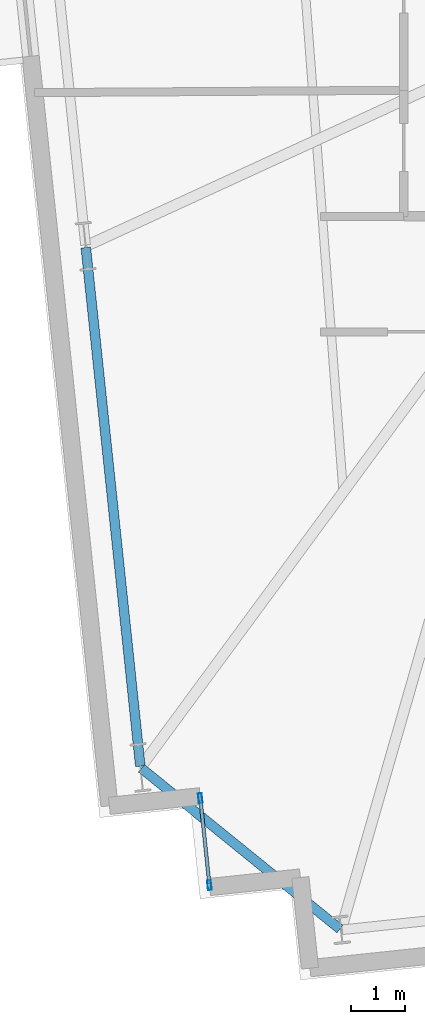
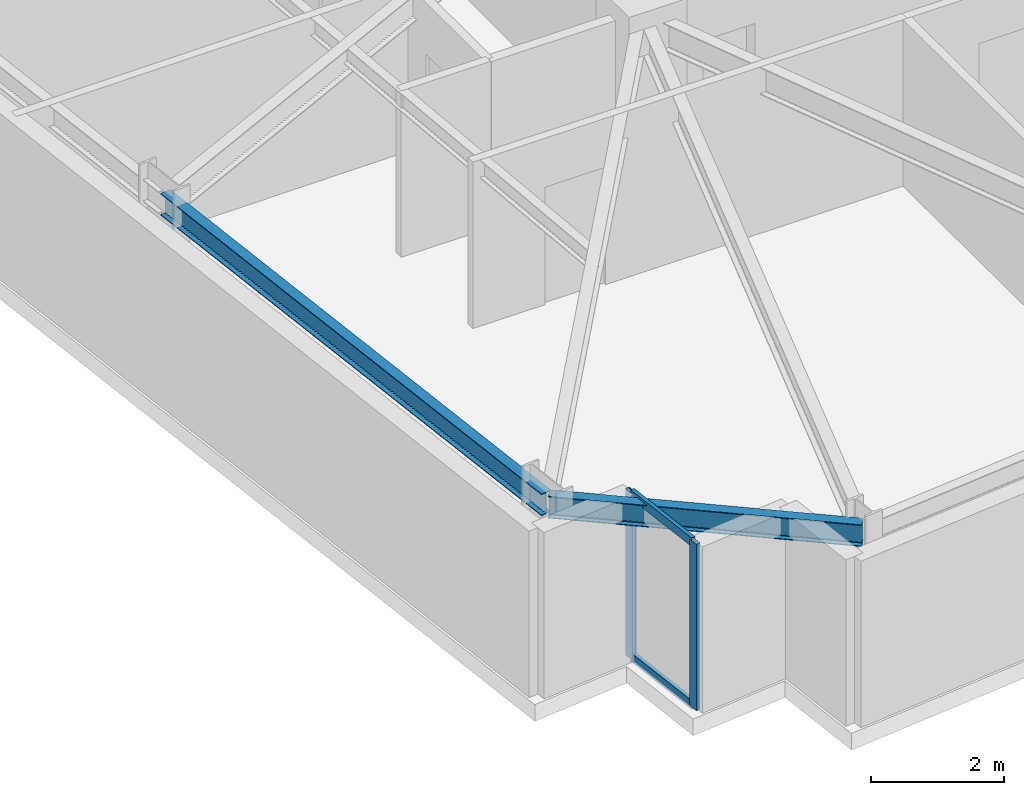
# One storey, part 4 of 23: 4 members, 2 beams, 1 element without a shape of its own.
"""IFC4 building model written with IfcOpenShell, lengths in metres."""

from ifc_helpers import new_model, si_unit, direction, frame, origin, origin_2d, place, context, subcontext, project, spatial, hollow_rectangle, i_section, extrude, material, layer, layer_set, material_profile, profile_set, type_object, element, aggregate, save


model = new_model("IFC4")

# Units and contexts
model_context = context("Model", 3, precision=1e-05, world=origin(), true_north=direction((0.0, 1.0)))
body_context = subcontext(model_context, "Body", "Model", "MODEL_VIEW")
ifc_project = project(units=[si_unit("LENGTHUNIT", "METRE"), si_unit("AREAUNIT", "SQUARE_METRE"), si_unit("VOLUMEUNIT", "CUBIC_METRE"), si_unit("PLANEANGLEUNIT", "RADIAN"), si_unit("MASSUNIT", "GRAM", prefix="KILO")], contexts=[model_context])

# Site, building, storey
site_placement = place(None, origin())
site = spatial("IfcSite", under=ifc_project, at=site_placement, CompositionType="ELEMENT")
building_placement = place(site_placement, origin())
building = spatial("IfcBuilding", under=site, at=building_placement, Name="Qobustan Lattice House", CompositionType="ELEMENT")
storey_placement = place(building_placement, frame((0.0, 0.0, 102.449951171875)))
storey = spatial("IfcBuildingStorey", under=building, at=storey_placement, Name="L28", CompositionType="ELEMENT", Elevation=102.449951171875)

# Beams
ifc_material_1 = material(Name="Steel S355", Category="steel")
ifc_material_profile_1 = material_profile(ifc_material_1, i_section(OverallWidth=0.179931640625, OverallDepth=0.39990234375, WebThickness=0.008544921875, FlangeThickness=0.013427734375, FilletRadius=0.02099609375, at=origin_2d()), Name="IPE400")
ifc_profile_set_1 = profile_set([ifc_material_profile_1], Name="Steel S355")
beam_type = type_object("IfcBeamType", Name="BM-SPD-IPE400", PredefinedType="SPANDREL", material=ifc_profile_set_1)
beam_1_placement = place(storey_placement, frame((-27.37451171875, -6.180908203125, 2.844970703125), z_axis=(0.104527826257, -0.994521962321, 0.0), x_axis=(0.994521962321, 0.104527826257, 0.0)))
element("IfcBeam", 1, at=beam_1_placement, inside=storey, type_object=beam_type, Name="L28 perimeter spandrel W3-W4", PredefinedType="SPANDREL", context=body_context, shape_type="SweptSolid", body=[
    extrude(i_section(OverallWidth=0.179931640625, OverallDepth=0.39990234375, WebThickness=0.008544921875, FlangeThickness=0.013427734375, FilletRadius=0.02099609375, at=origin_2d()), origin(), (0.0, 0.0, 1.0), 9.71630859375),
])
beam_2_placement = place(storey_placement, frame((-26.3369140625, -15.884765625, 2.844970703125), z_axis=(0.777140911545, -0.629326627121, 0.0), x_axis=(0.629326627121, 0.777140911545, 0.0)))
element("IfcBeam", 2, at=beam_2_placement, inside=storey, type_object=beam_type, Name="L28 perimeter spandrel W4-S1", PredefinedType="SPANDREL", context=body_context, shape_type="SweptSolid", body=[
    extrude(i_section(OverallWidth=0.179931640625, OverallDepth=0.39990234375, WebThickness=0.008544921875, FlangeThickness=0.013427734375, FilletRadius=0.02099609375, at=origin_2d()), origin(), (0.0, 0.0, 1.0), 4.758544921875),
])

# Curtain wall, members
ifc_material_2 = material(Name="Anodised aluminium and low-E glazing", Category="aluminium")
ifc_layer = layer(ifc_material_2, 0.219970703125)
ifc_layer_set = layer_set([ifc_layer], Name="Anodised aluminium and low-E glazing")
curtain_wall_type = type_object("IfcCurtainWallType", Name="CW-FAC-01", PredefinedType="USERDEFINED", material=ifc_layer_set)
curtain_wall_placement = place(storey_placement, origin())
curtain_wall = element("IfcCurtainWall", 3, at=curtain_wall_placement, inside=storey, type_object=curtain_wall_type, Name="L28 serrated corner faceted glazing 3", ObjectType="CURTAIN WALL", PredefinedType="USERDEFINED")
ifc_material_3 = material(Name="Anodised aluminium EN AW-6063 T6", Category="aluminium")
ifc_material_profile_2 = material_profile(ifc_material_3, hollow_rectangle(XDim=0.070068359375, YDim=0.179931640625, WallThickness=0.00439453125, at=origin_2d()), Name="CWM-180x70")
ifc_profile_set_2 = profile_set([ifc_material_profile_2], Name="Anodised aluminium EN AW-6063 T6")
member_type_1 = type_object("IfcMemberType", Name="CWM-STD-180", PredefinedType="MULLION", material=ifc_profile_set_2)
member_1_placement = place(storey_placement, frame((-25.070068359375, -18.0615234375, 0.0), z_axis=(0.0, 0.0, 1.0), x_axis=(-0.994521878892, -0.104528620025, 0.0)))
member_1 = element("IfcMember", 4, at=member_1_placement, type_object=member_type_1, Name="CW-F1 mullion 1", PredefinedType="MULLION", context=body_context, shape_type="SweptSolid", body=[
    extrude(hollow_rectangle(XDim=0.070068359375, YDim=0.179931640625, WallThickness=0.00439453125, at=origin_2d()), origin(), (0.0, 0.0, 1.0), 3.045166015625),
])
member_2_placement = place(storey_placement, frame((-25.240234375, -16.4404296875, 0.0), z_axis=(0.0, 0.0, 1.0), x_axis=(-0.994521878892, -0.104528620025, 0.0)))
member_2 = element("IfcMember", 5, at=member_2_placement, type_object=member_type_1, Name="CW-F1 mullion 2", PredefinedType="MULLION", context=body_context, shape_type="SweptSolid", body=[
    extrude(hollow_rectangle(XDim=0.070068359375, YDim=0.179931640625, WallThickness=0.00439453125, at=origin_2d()), origin(), (0.0, 0.0, 1.0), 3.045166015625),
])
ifc_material_4 = material(Name="Anodised aluminium EN AW-6063 T6", Category="aluminium")
ifc_material_profile_3 = material_profile(ifc_material_4, hollow_rectangle(XDim=0.06494140625, YDim=0.159912109375, WallThickness=0.00390625, at=origin_2d()), Name="CWT-160x65")
ifc_profile_set_3 = profile_set([ifc_material_profile_3], Name="Anodised aluminium EN AW-6063 T6")
member_type_2 = type_object("IfcMemberType", Name="CWT-HOR-160", PredefinedType="USERDEFINED", material=ifc_profile_set_3)
member_3_placement = place(storey_placement, frame((-25.07373046875, -18.02685546875, 0.032470703125), z_axis=(-0.104383362594, 0.994537135362, 0.0), x_axis=(-0.994537135362, -0.104383362594, 0.0)))
member_3 = element("IfcMember", 6, at=member_3_placement, type_object=member_type_2, Name="CW-F1 transom 1.1", ObjectType="TRANSOM", PredefinedType="USERDEFINED", context=body_context, shape_type="SweptSolid", body=[
    extrude(hollow_rectangle(XDim=0.06494140625, YDim=0.159912109375, WallThickness=0.00390625, at=origin_2d()), origin(), (0.0, 0.0, 1.0), 1.56005859375),
])
member_4_placement = place(storey_placement, frame((-25.07373046875, -18.02685546875, 3.012451171875), z_axis=(-0.104383362594, 0.994537135362, 0.0), x_axis=(-0.994537135362, -0.104383362594, 0.0)))
member_4 = element("IfcMember", 7, at=member_4_placement, type_object=member_type_2, Name="CW-F1 transom 1.2", ObjectType="TRANSOM", PredefinedType="USERDEFINED", context=body_context, shape_type="SweptSolid", body=[
    extrude(hollow_rectangle(XDim=0.06494140625, YDim=0.159912109375, WallThickness=0.00390625, at=origin_2d()), origin(), (0.0, 0.0, 1.0), 1.56005859375),
])
aggregate(curtain_wall, [member_1, member_2, member_3, member_4])

save(model, "model.ifc")
